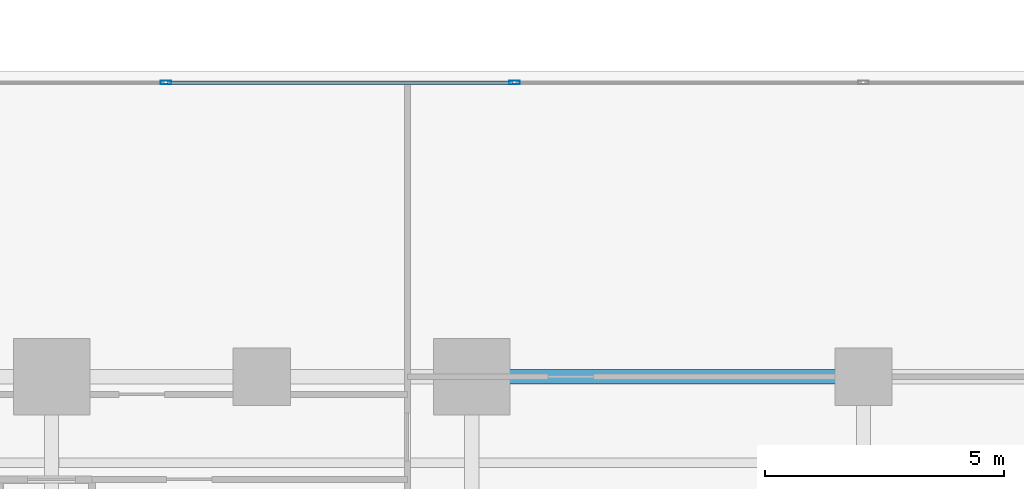
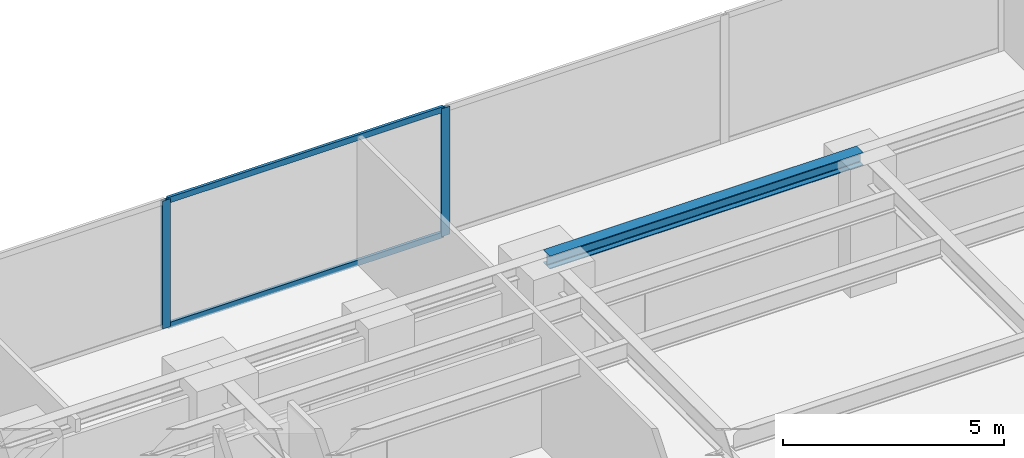
# One storey, part 13 of 27: 4 members, 1 beam, 1 element without a shape of its own.
"""IFC4 building model written with IfcOpenShell, lengths in metres."""

from ifc_helpers import new_model, si_unit, direction, frame, origin, origin_with_axes, origin_2d, place, context, subcontext, project, spatial, hollow_rectangle, i_section, extrude, source, transform, mapped, material, layer, layer_set, material_profile, profile_set, type_object, element, aggregate, save


model = new_model("IFC4")

# Units and contexts
model_context = context("Model", 3, precision=1e-05, world=origin(), true_north=direction((0.0, 1.0)))
body_context = subcontext(model_context, "Body", "Model", "MODEL_VIEW")
ifc_project = project(units=[si_unit("LENGTHUNIT", "METRE"), si_unit("AREAUNIT", "SQUARE_METRE"), si_unit("VOLUMEUNIT", "CUBIC_METRE"), si_unit("PLANEANGLEUNIT", "RADIAN"), si_unit("MASSUNIT", "GRAM", prefix="KILO")], contexts=[model_context])

# Site, building, storey
site_placement = place(None, origin())
site = spatial("IfcSite", under=ifc_project, at=site_placement, CompositionType="ELEMENT")
building_placement = place(site_placement, origin())
building = spatial("IfcBuilding", under=site, at=building_placement, Name="Kolvaren Waterfront Exchange", CompositionType="ELEMENT")
storey_placement = place(building_placement, frame((0.0, 0.0, 33.39990234375)))
storey = spatial("IfcBuildingStorey", under=building, at=storey_placement, Name="L08", CompositionType="ELEMENT", Elevation=33.39990234375)

# Beam
ifc_material_1 = material(Name="Steel S355", Category="steel")
ifc_material_profile_1 = material_profile(ifc_material_1, i_section(OverallWidth=0.300048828125, OverallDepth=0.360107421875, WebThickness=0.012451171875, FlangeThickness=0.0224609375, FilletRadius=0.027099609375, at=origin_2d()), Name="HEB360")
ifc_profile_set_1 = profile_set([ifc_material_profile_1], Name="Steel S355")
beam_type = type_object("IfcBeamType", Name="STR-BM-HEB360", PredefinedType="SPANDREL", material=ifc_profile_set_1)
beam_placement = place(storey_placement, frame((45.60009765625, 17.39990234375, 3.360107421875), z_axis=(1.0, 0.0, 0.0), x_axis=(0.0, 1.0, 0.0)))
element("IfcBeam", 1, at=beam_placement, inside=storey, type_object=beam_type, Name="L08 east-arm spandrel N4", PredefinedType="SPANDREL", context=body_context, shape_type="SweptSolid", body=[
    extrude(i_section(OverallWidth=0.300048828125, OverallDepth=0.360107421875, WebThickness=0.012451171875, FlangeThickness=0.0224609375, FilletRadius=0.027099609375, at=origin_2d()), origin(), (0.0, 0.0, 1.0), 8.199951171875),
])

# Curtain wall, members
ifc_material_2 = material(Name="Anodised bronze aluminium 6063-T6", Category="aluminium")
ifc_layer = layer(ifc_material_2, 0.219970703125, Name="Anodised bronze aluminium 6063-T6")
ifc_layer_set = layer_set([ifc_layer], Name="Anodised bronze aluminium 6063-T6")
curtain_wall_type = type_object("IfcCurtainWallType", Name="ARC-CW-SYS1", PredefinedType="USERDEFINED", material=ifc_layer_set)
curtain_wall_placement = place(storey_placement, origin())
curtain_wall = element("IfcCurtainWall", 2, at=curtain_wall_placement, inside=storey, type_object=curtain_wall_type, Name="L08 stick curtain wall CW1 (CW-L08-EN)", ObjectType="STICK CURTAIN WALL", PredefinedType="USERDEFINED")
ifc_material_3 = material(Name="Anodised aluminium 6063-T6", Category="aluminium")
ifc_material_profile_2 = material_profile(ifc_material_3, hollow_rectangle(XDim=0.074951171875, YDim=0.159912109375, WallThickness=0.00439453125, at=origin_2d()), Name="ALU-TRN-160x75x4.5")
ifc_profile_set_2 = profile_set([ifc_material_profile_2], Name="Anodised aluminium 6063-T6")
member_type_1 = type_object("IfcMemberType", Name="ARC-CWT-160", PredefinedType="USERDEFINED", material=ifc_profile_set_2)
shared_shape_1 = source(origin_with_axes(), body_context, "Body", "SweptSolid", [
    extrude(hollow_rectangle(XDim=0.074951171875, YDim=0.159912109375, WallThickness=0.00439453125, at=origin_2d()), origin(), (0.0, 0.0, 1.0), 7.22265625),
])
member_1_placement = place(storey_placement, frame((39.232421875, 23.56005859375, 0.03759765625), z_axis=(1.0, 0.0, 0.0), x_axis=(0.0, 1.0, 0.0)))
member_1 = element("IfcMember", 3, at=member_1_placement, type_object=member_type_1, Name="CW1 transom 2.1", ObjectType="TRANSOM", PredefinedType="USERDEFINED", context=body_context, shape_type="MappedRepresentation", body=[
    mapped(shared_shape_1, transform((0.0, 0.0, 0.0), x_axis=(1.0, 0.0, 0.0), y_axis=(0.0, 1.0, 0.0), z_axis=(0.0, 0.0, 1.0), scale=1.0)),
])
member_2_placement = place(storey_placement, frame((39.232421875, 23.56005859375, 3.502685546875), z_axis=(1.0, 0.0, 0.0), x_axis=(0.0, 1.0, 0.0)))
member_2 = element("IfcMember", 4, at=member_2_placement, type_object=member_type_1, Name="CW1 transom 2.2", ObjectType="TRANSOM", PredefinedType="USERDEFINED", context=body_context, shape_type="MappedRepresentation", body=[
    mapped(shared_shape_1, transform((0.0, 0.0, 0.0), x_axis=(1.0, 0.0, 0.0), y_axis=(0.0, 1.0, 0.0), z_axis=(0.0, 0.0, 1.0), scale=1.0)),
])
ifc_material_profile_3 = material_profile(ifc_material_3, hollow_rectangle(XDim=0.080078125, YDim=0.219970703125, WallThickness=0.0048828125, at=origin_2d()), Name="ALU-MUL-220x80x5")
ifc_profile_set_3 = profile_set([ifc_material_profile_3], Name="Anodised aluminium 6063-T6")
member_type_2 = type_object("IfcMemberType", Name="ARC-CWM-220", PredefinedType="MULLION", material=ifc_profile_set_3)
shared_shape_2 = source(origin_with_axes(), body_context, "Body", "SweptSolid", [
    extrude(hollow_rectangle(XDim=0.080078125, YDim=0.219970703125, WallThickness=0.0048828125, at=origin_2d()), origin(), (0.0, 0.0, 1.0), 3.5400390625),
])
member_3_placement = place(storey_placement, frame((39.1923828125, 23.56005859375, 0.0), z_axis=(0.0, 0.0, 1.0), x_axis=(0.0, 1.0, 0.0)))
member_3 = element("IfcMember", 5, at=member_3_placement, type_object=member_type_2, Name="CW1 mullion 2", PredefinedType="MULLION", context=body_context, shape_type="MappedRepresentation", body=[
    mapped(shared_shape_2, transform((0.0, 0.0, 0.0), x_axis=(1.0, 0.0, 0.0), y_axis=(0.0, 1.0, 0.0), z_axis=(0.0, 0.0, 1.0), scale=1.0)),
])
member_4_placement = place(storey_placement, frame((46.4951171875, 23.56005859375, 0.0), z_axis=(0.0, 0.0, 1.0), x_axis=(0.0, 1.0, 0.0)))
member_4 = element("IfcMember", 6, at=member_4_placement, type_object=member_type_2, Name="CW1 mullion 3", PredefinedType="MULLION", context=body_context, shape_type="MappedRepresentation", body=[
    mapped(shared_shape_2, transform((0.0, 0.0, 0.0), x_axis=(1.0, 0.0, 0.0), y_axis=(0.0, 1.0, 0.0), z_axis=(0.0, 0.0, 1.0), scale=1.0)),
])
aggregate(curtain_wall, [member_3, member_4, member_1, member_2])

save(model, "model.ifc")
